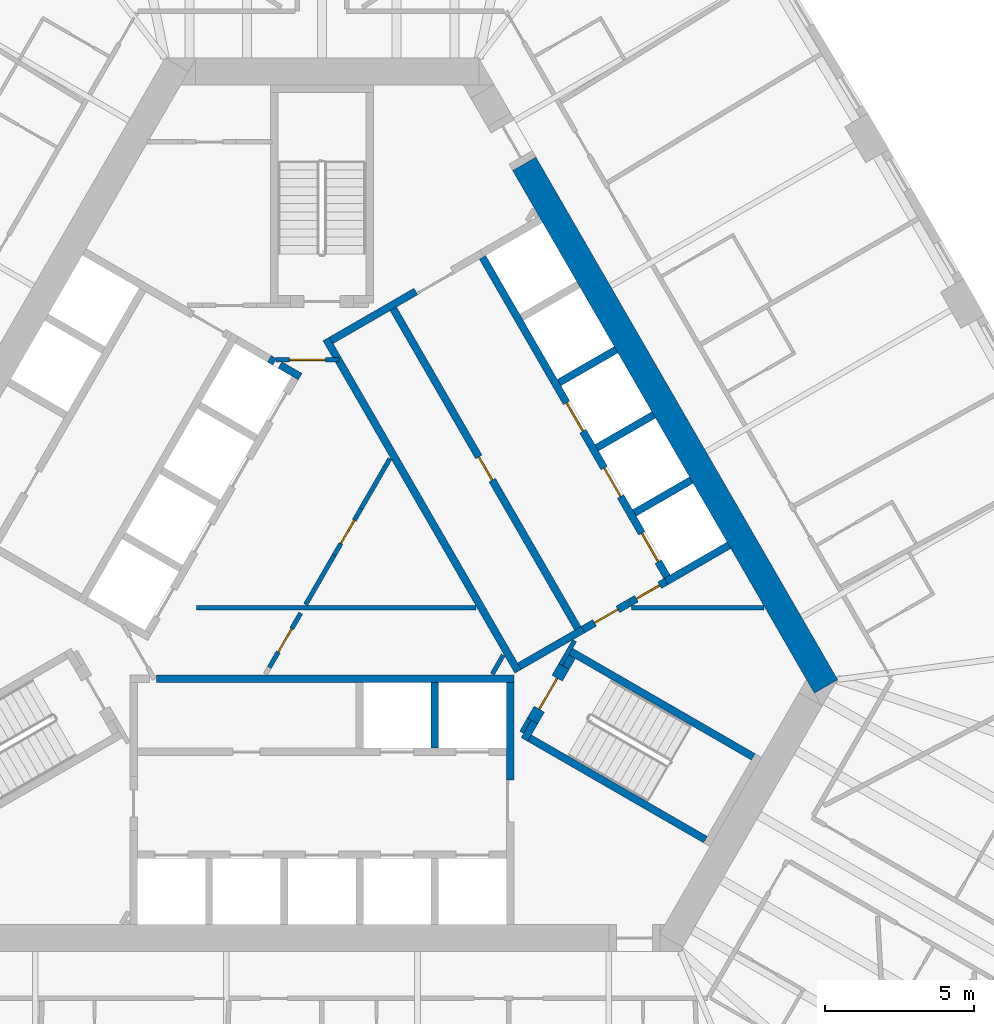
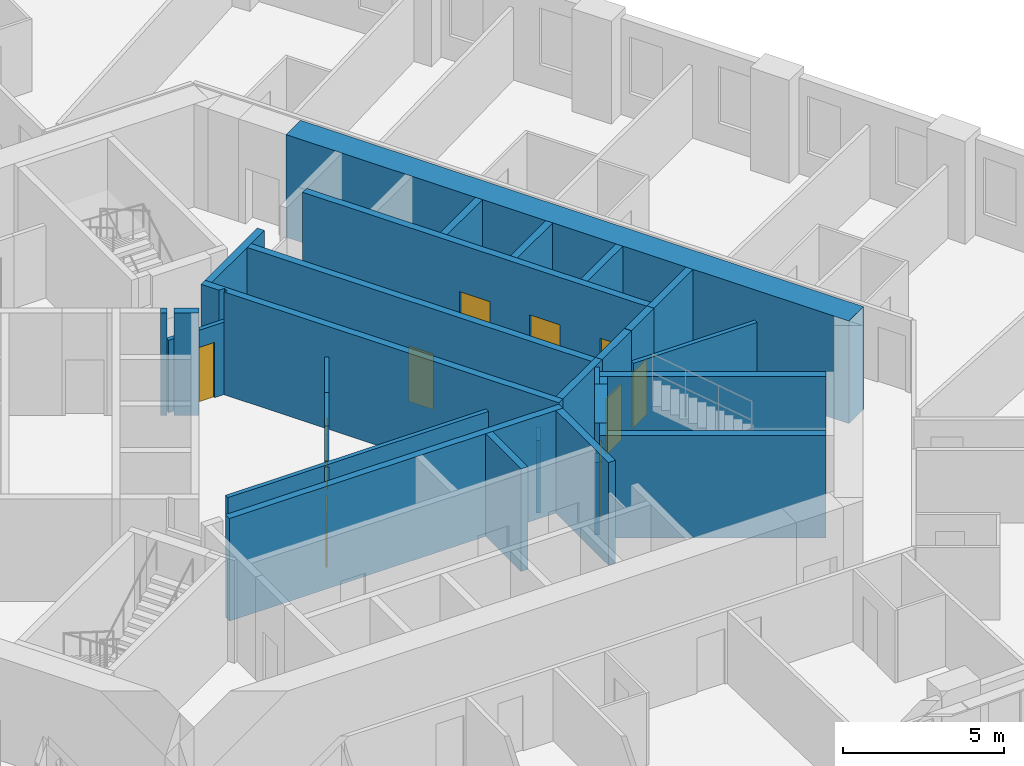
# One storey, part 8 of 13: 32 walls, 10 doors, 10 openings.
"""IFC4 building model written with IfcOpenShell, lengths in metres."""

from ifc_helpers import new_model, si_unit, direction, frame, frame_2d, origin, place, context, subcontext, project, spatial, polyline, rectangle, outline, extrude, material, layer, layer_set, type_object, element, fill, save


model = new_model("IFC4")

# Units and contexts
model_context = context("Model", 3, precision=1e-05, world=origin(), true_north=direction((0.0, 1.0)))
body_context = subcontext(model_context, "Body", "Model", "MODEL_VIEW")
ifc_project = project(units=[si_unit("LENGTHUNIT", "METRE"), si_unit("AREAUNIT", "SQUARE_METRE"), si_unit("VOLUMEUNIT", "CUBIC_METRE"), si_unit("PLANEANGLEUNIT", "RADIAN"), si_unit("MASSUNIT", "GRAM", prefix="KILO")], contexts=[model_context])

# Site, building, storey
site_placement = place(None, origin())
site = spatial("IfcSite", under=ifc_project, at=site_placement, CompositionType="ELEMENT")
building_placement = place(site_placement, origin())
building = spatial("IfcBuilding", under=site, at=building_placement, Name="Mestral Congress Tower", CompositionType="ELEMENT")
storey_placement = place(building_placement, frame((0.0, 0.0, 27.60009765625)))
storey = spatial("IfcBuildingStorey", under=building, at=storey_placement, Name="L05", CompositionType="ELEMENT", Elevation=27.60009765625)

# Walls
ifc_material_1 = material(Name="Fire-rated board partition")
ifc_layer_1 = layer(ifc_material_1, 0.14990234375)
ifc_layer_set_1 = layer_set([ifc_layer_1], Name="Fire-rated board partition")
wall_type_1 = type_object("IfcWallType", Name="Core partition 150", PredefinedType="PARTITIONING", material=ifc_layer_set_1)
wall_1_placement = place(storey_placement, frame((6.94482421875, -5.22216796875, 0.0), z_axis=(0.0, 0.0, 1.0), x_axis=(-0.499818422106, -0.866130212453, 0.0)))
element("IfcWall", 1, at=wall_1_placement, inside=storey, type_object=wall_type_1, Name="L05 core wall", PredefinedType="PARTITIONING", context=body_context, shape_type="SweptSolid", body=[
    extrude(rectangle(XDim=0.513916015625, YDim=0.14990234375, at=frame_2d((0.2568359375, 0.0))), origin(), (0.0, 0.0, 1.0), 2.75),
])
wall_2_placement = place(storey_placement, frame((5.704833984375, -3.718017578125, 0.0), z_axis=(0.0, 0.0, 1.0), x_axis=(0.499962090823, 0.866047289552, 0.0)))
element("IfcWall", 2, at=wall_2_placement, inside=storey, type_object=wall_type_1, Name="L05 core wall", PredefinedType="PARTITIONING", context=body_context, shape_type="SweptSolid", body=[
    extrude(rectangle(XDim=0.73486328125, YDim=0.14990234375, at=frame_2d((0.367431640625, 0.0))), origin(), (0.0, 0.0, 1.0), 2.75),
])
wall_3_placement = place(storey_placement, frame((10.362060546875, -1.5, 0.0), z_axis=(0.0, 0.0, 1.0), x_axis=(1.0, 0.0, 0.0)))
element("IfcWall", 3, at=wall_3_placement, inside=storey, type_object=wall_type_1, Name="L05 core wall", PredefinedType="PARTITIONING", context=body_context, shape_type="SweptSolid", body=[
    extrude(rectangle(XDim=4.439208984375, YDim=0.14990234375, at=frame_2d((2.2197265625, 0.0))), origin(), (0.0, 0.0, 1.0), 2.75),
])
wall_4_placement = place(storey_placement, frame((-4.199951171875, -1.5, 0.0), z_axis=(0.0, 0.0, 1.0), x_axis=(1.0, 0.0, 0.0)))
element("IfcWall", 4, at=wall_4_placement, inside=storey, type_object=wall_type_1, Name="L05 core wall", PredefinedType="PARTITIONING", context=body_context, shape_type="SweptSolid", body=[
    extrude(rectangle(XDim=9.359375, YDim=0.14990234375, at=frame_2d((4.6796875, 0.0))), origin(), (0.0, 0.0, 1.0), 2.75),
])
wall_5_placement = place(storey_placement, frame((-0.54443359375, -1.393310546875, 0.0), z_axis=(0.0, 0.0, 1.0), x_axis=(0.499928740635, 0.866066541489, 0.0)))
element("IfcWall", 5, at=wall_5_placement, inside=storey, type_object=wall_type_1, Name="L05 core wall", PredefinedType="PARTITIONING", context=body_context, shape_type="SweptSolid", body=[
    extrude(rectangle(XDim=1.912353515625, YDim=0.14990234375, at=frame_2d((0.9560546875, 0.0))), origin(), (0.0, 0.0, 1.0), 2.75),
])
wall_6_placement = place(storey_placement, frame((1.311767578125, 1.822021484375, 0.0), z_axis=(0.0, 0.0, 1.0), x_axis=(0.500003549559, 0.866023354436, 0.0)))
element("IfcWall", 6, at=wall_6_placement, inside=storey, type_object=wall_type_1, Name="L05 core wall", PredefinedType="PARTITIONING", context=body_context, shape_type="SweptSolid", body=[
    extrude(rectangle(XDim=1.9296875, YDim=0.14990234375, at=frame_2d((0.96484375, 0.0))), origin(), (0.0, 0.0, 1.0), 2.75),
])

# Wall, opening, door
wall_7_placement = place(storey_placement, frame((-1.759765625, -3.498046875, 0.0), z_axis=(0.0, 0.0, 1.0), x_axis=(0.499977374825, 0.866038466041, 0.0)))
wall_7 = element("IfcWall", 7, at=wall_7_placement, inside=storey, type_object=wall_type_1, Name="L05 door wall", PredefinedType="PARTITIONING", context=body_context, shape_type="SweptSolid", body=[
    extrude(rectangle(XDim=2.10009765625, YDim=0.14990234375, at=frame_2d((1.050048828125, 0.0))), origin(), (0.0, 0.0, 1.0), 2.75),
])
opening_1_placement = place(wall_7_placement, frame((0.60009765625, 0.0, 0.0)))
opening_1 = element("IfcOpeningElement", 8, at=opening_1_placement, cuts=wall_7, Name="Opening CD1-HUB0", PredefinedType="OPENING", context=body_context, shape_type="SweptSolid", body=[
    extrude(rectangle(XDim=0.89990234375, YDim=2.10009765625, at=frame_2d((0.449951171875, 1.050048828125))), frame((0.0, 0.0849609375, 0.0), z_axis=(0.0, -1.0, 0.0), x_axis=(1.0, 0.0, 0.0)), (0.0, 0.0, 1.0), 0.169921875),
])
ifc_material_2 = material(Name="Fire-rated steel door set", Category="steel")
door_type_1 = type_object("IfcDoorType", Name="Core door CD 900x2100", OperationType="SINGLE_SWING_LEFT", PredefinedType="DOOR", material=ifc_material_2)
door_1_placement = place(opening_1_placement, origin())
door_1 = element("IfcDoor", 9, at=door_1_placement, inside=storey, type_object=door_type_1, Name="Door CD1-HUB0", OperationType="SINGLE_SWING_LEFT", OverallHeight=2.10009765625, OverallWidth=0.89990234375, PredefinedType="DOOR", context=body_context, shape_type="SweptSolid", body=[
    extrude(rectangle(XDim=0.89990234375, YDim=2.10009765625, at=frame_2d((0.449951171875, 1.050048828125))), frame((0.0, 0.02490234375, 0.0), z_axis=(0.0, -1.0, 0.0), x_axis=(1.0, 0.0, 0.0)), (0.0, 0.0, 1.0), 0.050048828125),
])
fill(opening_1, door_1)

wall_8_placement = place(storey_placement, frame((-1.534423828125, 6.800048828125, 0.0), z_axis=(0.0, 0.0, 1.0), x_axis=(1.0, 0.0, 0.0)))
wall_8 = element("IfcWall", 10, at=wall_8_placement, inside=storey, type_object=wall_type_1, Name="L05 door wall", PredefinedType="PARTITIONING", context=body_context, shape_type="SweptSolid", body=[
    extrude(rectangle(XDim=2.099853515625, YDim=0.14990234375, at=frame_2d((1.0498046875, 0.0))), origin(), (0.0, 0.0, 1.0), 2.75),
])
opening_2_placement = place(wall_8_placement, frame((0.449951171875, 0.0, 0.0)))
opening_2 = element("IfcOpeningElement", 11, at=opening_2_placement, cuts=wall_8, Name="Opening CD2-FF", PredefinedType="OPENING", context=body_context, shape_type="SweptSolid", body=[
    extrude(rectangle(XDim=1.199951171875, YDim=2.10009765625, at=frame_2d((0.60009765625, 1.050048828125))), frame((0.0, 0.0849609375, 0.0), z_axis=(0.0, -1.0, 0.0), x_axis=(1.0, 0.0, 0.0)), (0.0, 0.0, 1.0), 0.169921875),
])
door_type_2 = type_object("IfcDoorType", Name="Core door CD 1200x2100", OperationType="SINGLE_SWING_LEFT", PredefinedType="DOOR", material=ifc_material_2)
door_2_placement = place(opening_2_placement, origin())
door_2 = element("IfcDoor", 12, at=door_2_placement, inside=storey, type_object=door_type_2, Name="Door CD2-FF", OperationType="SINGLE_SWING_LEFT", OverallHeight=2.10009765625, OverallWidth=1.199951171875, PredefinedType="DOOR", context=body_context, shape_type="SweptSolid", body=[
    extrude(rectangle(XDim=1.199951171875, YDim=2.10009765625, at=frame_2d((0.60009765625, 1.050048828125))), frame((0.0, 0.02490234375, 0.0), z_axis=(0.0, -1.0, 0.0), x_axis=(1.0, 0.0, 0.0)), (0.0, 0.0, 1.0), 0.050048828125),
])
fill(opening_2, door_2)

wall_9_placement = place(storey_placement, frame((0.41162109375, 0.26318359375, 0.0), z_axis=(0.0, 0.0, 1.0), x_axis=(0.500062916607, 0.865989075817, 0.0)))
wall_9 = element("IfcWall", 13, at=wall_9_placement, inside=storey, type_object=wall_type_1, Name="L05 door wall", PredefinedType="PARTITIONING", context=body_context, shape_type="SweptSolid", body=[
    extrude(rectangle(XDim=1.800048828125, YDim=0.14990234375, at=frame_2d((0.89990234375, 0.0))), origin(), (0.0, 0.0, 1.0), 2.75),
])
opening_3_placement = place(wall_9_placement, frame((0.449951171875, 0.0, 0.0)))
opening_3 = element("IfcOpeningElement", 14, at=opening_3_placement, cuts=wall_9, Name="Opening SD-HUB1", PredefinedType="OPENING", context=body_context, shape_type="SweptSolid", body=[
    extrude(rectangle(XDim=0.89990234375, YDim=2.10009765625, at=frame_2d((0.449951171875, 1.050048828125))), frame((0.0, 0.0849609375, 0.0), z_axis=(0.0, -1.0, 0.0), x_axis=(1.0, 0.0, 0.0)), (0.0, 0.0, 1.0), 0.169921875),
])
door_type_3 = type_object("IfcDoorType", Name="Core door SR 900x2100", OperationType="SINGLE_SWING_LEFT", PredefinedType="DOOR", material=ifc_material_2)
door_3_placement = place(opening_3_placement, origin())
door_3 = element("IfcDoor", 15, at=door_3_placement, inside=storey, type_object=door_type_3, Name="Door SD-HUB1", OperationType="SINGLE_SWING_LEFT", OverallHeight=2.10009765625, OverallWidth=0.89990234375, PredefinedType="DOOR", context=body_context, shape_type="SweptSolid", body=[
    extrude(rectangle(XDim=0.89990234375, YDim=2.10009765625, at=frame_2d((0.449951171875, 1.050048828125))), frame((0.0, 0.02490234375, 0.0), z_axis=(0.0, -1.0, 0.0), x_axis=(1.0, 0.0, 0.0)), (0.0, 0.0, 1.0), 0.050048828125),
])
fill(opening_3, door_3)

# Walls
ifc_material_3 = material(Name="Concrete C60/75", Category="concrete")
ifc_layer_2 = layer(ifc_material_3, 0.89990234375)
ifc_layer_set_2 = layer_set([ifc_layer_2], Name="Concrete C60/75")
wall_type_2 = type_object("IfcWallType", Name="Core wall RC 900", PredefinedType="SOLIDWALL", material=ifc_layer_set_2)
wall_10_placement = place(storey_placement, frame((6.77587890625, 13.36376953125, 0.0), z_axis=(0.0, 0.0, 1.0), x_axis=(0.500004177138, -0.8660229921, 0.0)))
element("IfcWall", 16, at=wall_10_placement, inside=storey, type_object=wall_type_2, Name="L05 core wall", PredefinedType="SOLIDWALL", context=body_context, shape_type="SweptSolid", body=[
    extrude(rectangle(XDim=20.203857421875, YDim=0.89990234375, at=frame_2d((10.10205078125, 0.0))), origin(), (0.0, 0.0, 1.0), 3.89990234375),
])
ifc_layer_3 = layer(ifc_material_3, 0.25)
ifc_layer_set_3 = layer_set([ifc_layer_3], Name="Concrete C60/75")
wall_type_3 = type_object("IfcWallType", Name="Shaft wall RC 250", PredefinedType="SOLIDWALL", material=ifc_layer_set_3)
wall_11_placement = place(storey_placement, frame((-5.544921875, -3.875, 0.0), z_axis=(0.0, 0.0, 1.0), x_axis=(1.0, 0.0, 0.0)))
element("IfcWall", 17, at=wall_11_placement, inside=storey, type_object=wall_type_3, Name="L05 core wall", PredefinedType="SOLIDWALL", context=body_context, shape_type="SweptSolid", body=[
    extrude(rectangle(XDim=11.969970703125, YDim=0.25, at=frame_2d((5.98486328125, 0.0))), origin(), (0.0, 0.0, 1.0), 3.89990234375),
])
wall_12_placement = place(storey_placement, frame((6.300048828125, -7.26806640625, 0.0), z_axis=(0.0, 0.0, 1.0), x_axis=(0.0, 1.0, 0.0)))
element("IfcWall", 18, at=wall_12_placement, inside=storey, type_object=wall_type_3, Name="L05 core wall", PredefinedType="SOLIDWALL", context=body_context, shape_type="SweptSolid", body=[
    extrude(rectangle(XDim=3.26806640625, YDim=0.25, at=frame_2d((1.634033203125, 0.0))), origin(), (0.0, 0.0, 1.0), 3.89990234375),
])
for number, where, z_axis, x_axis, name in (
    (19, (3.780029296875, -4.0, 0.0), (0.0, 0.0, 1.0), (0.0, -1.0, 0.0), "L05 core wall"),
    (20, (10.463623046875, 1.676513671875, 0.0), (0.0, 0.0, 1.0), (0.86605622881, 0.499946605688, 0.0), "L05 core wall"),
):
    element("IfcWall", number, at=place(storey_placement, frame(where, z_axis=z_axis, x_axis=x_axis)), inside=storey, type_object=wall_type_3, Name=name, PredefinedType="SOLIDWALL", context=body_context, shape_type="SweptSolid", body=[
        extrude(rectangle(XDim=2.199951171875, YDim=0.25, at=frame_2d((1.10009765625, 0.0))), origin(), (0.0, 0.0, 1.0), 3.89990234375),
    ])
wall_13_placement = place(storey_placement, frame((13.62890625, 0.593994140625, 0.0), z_axis=(0.0, 0.0, 1.0), x_axis=(-0.866063384774, -0.499934209226, 0.0)))
element("IfcWall", 21, at=wall_13_placement, inside=storey, type_object=wall_type_3, Name="L05 core wall", PredefinedType="SOLIDWALL", context=body_context, shape_type="SweptSolid", body=[
    extrude(rectangle(XDim=2.428466796875, YDim=0.25, at=frame_2d((1.21435546875, 0.0))), origin(), (0.0, 0.0, 1.0), 3.89990234375),
])
wall_14_placement = place(storey_placement, origin())
element("IfcWall", 22, at=wall_14_placement, inside=storey, type_object=wall_type_3, Name="L05 core wall", PredefinedType="SOLIDWALL", context=body_context, shape_type="SweptSolid", body=[
    extrude(outline(polyline([(0.565673828125, 6.72509765625), (0.565673828125, 6.875), (0.565673828125, 6.875), (0.5654296875, 6.875), (0.36083984375, 6.875), (0.03515625, 7.439208984375), (0.251708984375, 7.564208984375), (0.376708984375, 7.34765625), (6.551513671875, -3.34765625), (6.676513671875, -3.564208984375), (6.460205078125, -3.689208984375), (0.447509765625, 6.724853515625), (0.5654296875, 6.724853515625), (0.565673828125, 6.724853515625), (0.565673828125, 6.72509765625)])), origin(), (0.0, 0.0, 1.0), 3.89990234375),
])
wall_15_placement = place(storey_placement, frame((0.314208984375, 7.455810546875, 0.0), z_axis=(0.0, 0.0, 1.0), x_axis=(0.866013897511, 0.50001992892, 0.0)))
element("IfcWall", 23, at=wall_15_placement, inside=storey, type_object=wall_type_3, Name="L05 core wall", PredefinedType="SOLIDWALL", context=body_context, shape_type="SweptSolid", body=[
    extrude(rectangle(XDim=3.267822265625, YDim=0.25, at=frame_2d((1.6337890625, 0.0))), origin(), (0.0, 0.0, 1.0), 3.89990234375),
])
wall_16_placement = place(storey_placement, frame((6.614013671875, -3.4560546875, 0.0), z_axis=(0.0, 0.0, 1.0), x_axis=(0.866031582473, 0.499989298045, 0.0)))
element("IfcWall", 24, at=wall_16_placement, inside=storey, type_object=wall_type_3, Name="L05 core wall", PredefinedType="SOLIDWALL", context=body_context, shape_type="SweptSolid", body=[
    extrude(rectangle(XDim=2.455078125, YDim=0.25, at=frame_2d((1.2275390625, 0.0))), origin(), (0.0, 0.0, 1.0), 3.89990234375),
])
for number, where, z_axis, x_axis, name in (
    (25, (7.943603515625, 6.041259765625, 0.0), (0.0, 0.0, 1.0), (0.86605622881, 0.499946605688, 0.0), "L05 core wall"),
    (26, (9.20361328125, 3.85888671875, 0.0), (0.0, 0.0, 1.0), (0.86605622881, 0.499946605688, 0.0), "L05 core wall"),
):
    element("IfcWall", number, at=place(storey_placement, frame(where, z_axis=z_axis, x_axis=x_axis)), inside=storey, type_object=wall_type_3, Name=name, PredefinedType="SOLIDWALL", context=body_context, shape_type="SweptSolid", body=[
        extrude(rectangle(XDim=2.199951171875, YDim=0.25, at=frame_2d((1.10009765625, 0.0))), origin(), (0.0, 0.0, 1.0), 3.89990234375),
    ])
wall_17_placement = place(storey_placement, frame((-1.75830078125, 6.834716796875, 0.0), z_axis=(0.0, 0.0, 1.0), x_axis=(0.865982457891, -0.500074377092, 0.0)))
element("IfcWall", 27, at=wall_17_placement, inside=storey, type_object=wall_type_3, Name="L05 core wall", PredefinedType="SOLIDWALL", context=body_context, shape_type="SweptSolid", body=[
    extrude(rectangle(XDim=0.2001953125, YDim=0.25, at=frame_2d((0.10009765625, 0.0))), origin(), (0.0, 0.0, 1.0), 3.89990234375),
])
wall_18_placement = place(storey_placement, frame((-0.7275390625, 6.23974609375, 0.0), z_axis=(0.0, 0.0, 1.0), x_axis=(-0.865955664968, 0.500120771724, 0.0)))
element("IfcWall", 28, at=wall_18_placement, inside=storey, type_object=wall_type_3, Name="L05 core wall", PredefinedType="SOLIDWALL", context=body_context, shape_type="SweptSolid", body=[
    extrude(rectangle(XDim=0.778076171875, YDim=0.25, at=frame_2d((0.38916015625, 0.0))), origin(), (0.0, 0.0, 1.0), 3.89990234375),
])

# Wall, openings, doors
wall_19_placement = place(storey_placement, frame((11.552978515625, -0.460205078125, 0.0), z_axis=(0.0, 0.0, 1.0), x_axis=(-0.500006514828, 0.866021642414, 0.0)))
wall_19 = element("IfcWall", 29, at=wall_19_placement, inside=storey, type_object=wall_type_3, Name="L05 door wall", PredefinedType="SOLIDWALL", context=body_context, shape_type="SweptSolid", body=[
    extrude(rectangle(XDim=12.349853515625, YDim=0.25, at=frame_2d((6.1748046875, 0.0))), origin(), (0.0, 0.0, 1.0), 3.89990234375),
])
opening_4_placement = place(wall_19_placement, frame((0.5849609375, 0.0, 0.0)))
opening_4 = element("IfcOpeningElement", 30, at=opening_4_placement, cuts=wall_19, Name="Opening LD-NEA1", PredefinedType="OPENING", context=body_context, shape_type="SweptSolid", body=[
    extrude(rectangle(XDim=1.10009765625, YDim=2.10009765625, at=frame_2d((0.550048828125, 1.050048828125))), frame((0.0, 0.135009765625, 0.0), z_axis=(0.0, -1.0, 0.0), x_axis=(1.0, 0.0, 0.0)), (0.0, 0.0, 1.0), 0.27001953125),
])
opening_5_placement = place(wall_19_placement, frame((3.10498046875, 0.0, 0.0)))
opening_5 = element("IfcOpeningElement", 31, at=opening_5_placement, cuts=wall_19, Name="Opening LD-NEA2", PredefinedType="OPENING", context=body_context, shape_type="SweptSolid", body=[
    extrude(rectangle(XDim=1.10009765625, YDim=2.10009765625, at=frame_2d((0.550048828125, 1.050048828125))), frame((0.0, 0.135009765625, 0.0), z_axis=(0.0, -1.0, 0.0), x_axis=(1.0, 0.0, 0.0)), (0.0, 0.0, 1.0), 0.27001953125),
])
opening_6_placement = place(wall_19_placement, frame((5.625, 0.0, 0.0)))
opening_6 = element("IfcOpeningElement", 32, at=opening_6_placement, cuts=wall_19, Name="Opening LD-NEA3", PredefinedType="OPENING", context=body_context, shape_type="SweptSolid", body=[
    extrude(rectangle(XDim=1.10009765625, YDim=2.10009765625, at=frame_2d((0.550048828125, 1.050048828125))), frame((0.0, 0.135009765625, 0.0), z_axis=(0.0, -1.0, 0.0), x_axis=(1.0, 0.0, 0.0)), (0.0, 0.0, 1.0), 0.27001953125),
])
door_type_4 = type_object("IfcDoorType", Name="Core door LD 1100x2100", OperationType="DOUBLE_DOOR_SLIDING", PredefinedType="DOOR", material=ifc_material_2)
door_4_placement = place(opening_4_placement, origin())
door_4 = element("IfcDoor", 33, at=door_4_placement, inside=storey, type_object=door_type_4, Name="Door LD-NEA1", OperationType="DOUBLE_DOOR_SLIDING", OverallHeight=2.10009765625, OverallWidth=1.10009765625, PredefinedType="DOOR", context=body_context, shape_type="SweptSolid", body=[
    extrude(rectangle(XDim=1.10009765625, YDim=2.10009765625, at=frame_2d((0.550048828125, 1.050048828125))), frame((0.0, 0.02490234375, 0.0), z_axis=(0.0, -1.0, 0.0), x_axis=(1.0, 0.0, 0.0)), (0.0, 0.0, 1.0), 0.050048828125),
])
fill(opening_4, door_4)
door_5_placement = place(opening_5_placement, origin())
door_5 = element("IfcDoor", 34, at=door_5_placement, inside=storey, type_object=door_type_4, Name="Door LD-NEA2", OperationType="DOUBLE_DOOR_SLIDING", OverallHeight=2.10009765625, OverallWidth=1.10009765625, PredefinedType="DOOR", context=body_context, shape_type="SweptSolid", body=[
    extrude(rectangle(XDim=1.10009765625, YDim=2.10009765625, at=frame_2d((0.550048828125, 1.050048828125))), frame((0.0, 0.02490234375, 0.0), z_axis=(0.0, -1.0, 0.0), x_axis=(1.0, 0.0, 0.0)), (0.0, 0.0, 1.0), 0.050048828125),
])
fill(opening_5, door_5)
door_6_placement = place(opening_6_placement, origin())
door_6 = element("IfcDoor", 35, at=door_6_placement, inside=storey, type_object=door_type_4, Name="Door LD-NEA3", OperationType="DOUBLE_DOOR_SLIDING", OverallHeight=2.10009765625, OverallWidth=1.10009765625, PredefinedType="DOOR", context=body_context, shape_type="SweptSolid", body=[
    extrude(rectangle(XDim=1.10009765625, YDim=2.10009765625, at=frame_2d((0.550048828125, 1.050048828125))), frame((0.0, 0.02490234375, 0.0), z_axis=(0.0, -1.0, 0.0), x_axis=(1.0, 0.0, 0.0)), (0.0, 0.0, 1.0), 0.050048828125),
])
fill(opening_6, door_6)

# Wall, opening, door
wall_20_placement = place(storey_placement, frame((8.565185546875, -2.185302734375, 0.0), z_axis=(0.0, 0.0, 1.0), x_axis=(-0.499997954832, 0.866026584559, 0.0)))
wall_20 = element("IfcWall", 36, at=wall_20_placement, inside=storey, type_object=wall_type_3, Name="L05 door wall", PredefinedType="SOLIDWALL", context=body_context, shape_type="SweptSolid", body=[
    extrude(rectangle(XDim=12.35009765625, YDim=0.25, at=frame_2d((6.175048828125, 0.0))), origin(), (0.0, 0.0, 1.0), 3.89990234375),
])
opening_7_placement = place(wall_20_placement, frame((5.72509765625, 0.0, 0.0)))
opening_7 = element("IfcOpeningElement", 37, at=opening_7_placement, cuts=wall_20, Name="Opening SR-NEB1", PredefinedType="OPENING", context=body_context, shape_type="SweptSolid", body=[
    extrude(rectangle(XDim=0.89990234375, YDim=2.10009765625, at=frame_2d((0.449951171875, 1.050048828125))), frame((0.0, 0.135009765625, 0.0), z_axis=(0.0, -1.0, 0.0), x_axis=(1.0, 0.0, 0.0)), (0.0, 0.0, 1.0), 0.27001953125),
])
door_7_placement = place(opening_7_placement, origin())
door_7 = element("IfcDoor", 38, at=door_7_placement, inside=storey, type_object=door_type_3, Name="Door SR-NEB1", OperationType="SINGLE_SWING_LEFT", OverallHeight=2.10009765625, OverallWidth=0.89990234375, PredefinedType="DOOR", context=body_context, shape_type="SweptSolid", body=[
    extrude(rectangle(XDim=0.89990234375, YDim=2.10009765625, at=frame_2d((0.449951171875, 1.050048828125))), frame((0.0, 0.02490234375, 0.0), z_axis=(0.0, -1.0, 0.0), x_axis=(1.0, 0.0, 0.0)), (0.0, 0.0, 1.0), 0.050048828125),
])
fill(opening_7, door_7)

wall_21_placement = place(storey_placement, frame((8.740478515625, -2.228515625, 0.0), z_axis=(0.0, 0.0, 1.0), x_axis=(0.865989075817, 0.500062916607, 0.0)))
wall_21 = element("IfcWall", 39, at=wall_21_placement, inside=storey, type_object=wall_type_3, Name="L05 door wall", PredefinedType="SOLIDWALL", context=body_context, shape_type="SweptSolid", body=[
    extrude(rectangle(XDim=1.800048828125, YDim=0.25, at=frame_2d((0.89990234375, 0.0))), origin(), (0.0, 0.0, 1.0), 3.89990234375),
])
opening_8_placement = place(wall_21_placement, frame((0.449951171875, 0.0, 0.0)))
opening_8 = element("IfcOpeningElement", 40, at=opening_8_placement, cuts=wall_21, Name="Opening TD1", PredefinedType="OPENING", context=body_context, shape_type="SweptSolid", body=[
    extrude(rectangle(XDim=0.89990234375, YDim=2.10009765625, at=frame_2d((0.449951171875, 1.050048828125))), frame((0.0, 0.135009765625, 0.0), z_axis=(0.0, -1.0, 0.0), x_axis=(1.0, 0.0, 0.0)), (0.0, 0.0, 1.0), 0.27001953125),
])
door_8_placement = place(opening_8_placement, origin())
door_8 = element("IfcDoor", 41, at=door_8_placement, inside=storey, type_object=door_type_3, Name="Door TD1", OperationType="SINGLE_SWING_LEFT", OverallHeight=2.10009765625, OverallWidth=0.89990234375, PredefinedType="DOOR", context=body_context, shape_type="SweptSolid", body=[
    extrude(rectangle(XDim=0.89990234375, YDim=2.10009765625, at=frame_2d((0.449951171875, 1.050048828125))), frame((0.0, 0.02490234375, 0.0), z_axis=(0.0, -1.0, 0.0), x_axis=(1.0, 0.0, 0.0)), (0.0, 0.0, 1.0), 0.050048828125),
])
fill(opening_8, door_8)

wall_22_placement = place(storey_placement, frame((10.31298828125, -1.3203125, 0.0), z_axis=(0.0, 0.0, 1.0), x_axis=(0.866034573852, 0.49998411664, 0.0)))
wall_22 = element("IfcWall", 42, at=wall_22_placement, inside=storey, type_object=wall_type_3, Name="L05 door wall", PredefinedType="SOLIDWALL", context=body_context, shape_type="SweptSolid", body=[
    extrude(rectangle(XDim=1.39990234375, YDim=0.25, at=frame_2d((0.699951171875, 0.0))), origin(), (0.0, 0.0, 1.0), 3.89990234375),
])
opening_9_placement = place(wall_22_placement, frame((0.25, 0.0, 0.0)))
opening_9 = element("IfcOpeningElement", 43, at=opening_9_placement, cuts=wall_22, Name="Opening SD-HUB2", PredefinedType="OPENING", context=body_context, shape_type="SweptSolid", body=[
    extrude(rectangle(XDim=0.89990234375, YDim=2.10009765625, at=frame_2d((0.449951171875, 1.050048828125))), frame((0.0, 0.135009765625, 0.0), z_axis=(0.0, -1.0, 0.0), x_axis=(1.0, 0.0, 0.0)), (0.0, 0.0, 1.0), 0.27001953125),
])
door_9_placement = place(opening_9_placement, origin())
door_9 = element("IfcDoor", 44, at=door_9_placement, inside=storey, type_object=door_type_3, Name="Door SD-HUB2", OperationType="SINGLE_SWING_LEFT", OverallHeight=2.10009765625, OverallWidth=0.89990234375, PredefinedType="DOOR", context=body_context, shape_type="SweptSolid", body=[
    extrude(rectangle(XDim=0.89990234375, YDim=2.10009765625, at=frame_2d((0.449951171875, 1.050048828125))), frame((0.0, 0.02490234375, 0.0), z_axis=(0.0, -1.0, 0.0), x_axis=(1.0, 0.0, 0.0)), (0.0, 0.0, 1.0), 0.050048828125),
])
fill(opening_9, door_9)

# Walls
ifc_layer_4 = layer(ifc_material_3, 0.14990234375)
ifc_layer_set_4 = layer_set([ifc_layer_4], Name="Concrete C60/75")
wall_type_4 = type_object("IfcWallType", Name="Shaft wall RC 250 door-wall 150", PredefinedType="SOLIDWALL", material=ifc_layer_set_4)
wall_23_placement = place(storey_placement, frame((8.459228515625, -2.59912109375, 0.0), z_axis=(0.0, 0.0, 1.0), x_axis=(-0.500041054325, -0.866001699761, 0.0)))
element("IfcWall", 45, at=wall_23_placement, inside=storey, type_object=wall_type_4, Name="L05 core wall", PredefinedType="PARTITIONING", context=body_context, shape_type="SweptSolid", body=[
    extrude(rectangle(XDim=0.9287109375, YDim=0.14990234375, at=frame_2d((0.46435546875, 0.0))), origin(), (0.0, 0.0, 1.0), 3.89990234375),
])
ifc_layer_5 = layer(ifc_material_3, 0.25)
ifc_layer_set_5 = layer_set([ifc_layer_5], Name="Concrete C60/75")
wall_type_5 = type_object("IfcWallType", Name="Stair wall RC 250", PredefinedType="SOLIDWALL", material=ifc_layer_set_5)
wall_24_placement = place(storey_placement, frame((12.83984375, -9.2607421875, 0.0), z_axis=(0.0, 0.0, 1.0), x_axis=(-0.866013990052, 0.500019768644, 0.0)))
element("IfcWall", 46, at=wall_24_placement, inside=storey, type_object=wall_type_5, Name="L05 core wall", PredefinedType="SOLIDWALL", context=body_context, shape_type="SweptSolid", body=[
    extrude(rectangle(XDim=6.800048828125, YDim=0.25, at=frame_2d((3.39990234375, 0.0))), origin(), (0.0, 0.0, 1.0), 3.89990234375),
])
wall_25_placement = place(storey_placement, frame((6.780029296875, -5.906494140625, 0.0), z_axis=(0.0, 0.0, 1.0), x_axis=(0.500223362819, 0.865896406789, 0.0)))
element("IfcWall", 47, at=wall_25_placement, inside=storey, type_object=wall_type_5, Name="L05 core wall", PredefinedType="SOLIDWALL", context=body_context, shape_type="SweptSolid", body=[
    extrude(rectangle(XDim=0.675048828125, YDim=0.25, at=frame_2d((0.33740234375, 0.0))), origin(), (0.0, 0.0, 1.0), 3.89990234375),
])
wall_26_placement = place(storey_placement, frame((8.33447265625, -2.96435546875, 0.0), z_axis=(0.0, 0.0, 1.0), x_axis=(0.866016039709, -0.500016218704, 0.0)))
element("IfcWall", 48, at=wall_26_placement, inside=storey, type_object=wall_type_5, Name="L05 core wall", PredefinedType="SOLIDWALL", context=body_context, shape_type="SweptSolid", body=[
    extrude(rectangle(XDim=7.050048828125, YDim=0.25, at=frame_2d((3.52490234375, 0.0))), origin(), (0.0, 0.0, 1.0), 3.89990234375),
])
wall_27_placement = place(storey_placement, frame((8.167724609375, -3.503173828125, 0.0), z_axis=(0.0, 0.0, 1.0), x_axis=(0.49972245349, 0.866185586049, 0.0)))
element("IfcWall", 49, at=wall_27_placement, inside=storey, type_object=wall_type_5, Name="L05 core wall", PredefinedType="SOLIDWALL", context=body_context, shape_type="SweptSolid", body=[
    extrude(rectangle(XDim=0.425048828125, YDim=0.25, at=frame_2d((0.21240234375, 0.0))), origin(), (0.0, 0.0, 1.0), 3.89990234375),
])

# Wall, opening, door
ifc_layer_6 = layer(ifc_material_3, 0.39990234375)
ifc_layer_set_6 = layer_set([ifc_layer_6], Name="Concrete C60/75")
wall_type_6 = type_object("IfcWallType", Name="Stair wall RC 250 door-wall 400", PredefinedType="SOLIDWALL", material=ifc_layer_set_6)
wall_28_placement = place(storey_placement, frame((7.052734375, -5.2841796875, 0.0), z_axis=(0.0, 0.0, 1.0), x_axis=(0.500078061341, 0.865980330357, 0.0)))
wall_28 = element("IfcWall", 50, at=wall_28_placement, inside=storey, type_object=wall_type_6, Name="L05 door wall", PredefinedType="SOLIDWALL", context=body_context, shape_type="SweptSolid", body=[
    extrude(rectangle(XDim=2.099853515625, YDim=0.39990234375, at=frame_2d((1.0498046875, 0.0))), origin(), (0.0, 0.0, 1.0), 3.89990234375),
])
opening_10_placement = place(wall_28_placement, frame((0.449951171875, 0.0, 0.0)))
opening_10 = element("IfcOpeningElement", 51, at=opening_10_placement, cuts=wall_28, Name="Opening ST-D1", PredefinedType="OPENING", context=body_context, shape_type="SweptSolid", body=[
    extrude(rectangle(XDim=1.199951171875, YDim=2.10009765625, at=frame_2d((0.60009765625, 1.050048828125))), frame((0.0, 0.2099609375, 0.0), z_axis=(0.0, -1.0, 0.0), x_axis=(1.0, 0.0, 0.0)), (0.0, 0.0, 1.0), 0.419921875),
])
door_type_5 = type_object("IfcDoorType", Name="Core door ST 1200x2100", OperationType="SINGLE_SWING_LEFT", PredefinedType="DOOR", material=ifc_material_2)
door_10_placement = place(opening_10_placement, origin())
door_10 = element("IfcDoor", 52, at=door_10_placement, inside=storey, type_object=door_type_5, Name="Door ST-D1", OperationType="SINGLE_SWING_LEFT", OverallHeight=2.10009765625, OverallWidth=1.199951171875, PredefinedType="DOOR", context=body_context, shape_type="SweptSolid", body=[
    extrude(rectangle(XDim=1.199951171875, YDim=2.10009765625, at=frame_2d((0.60009765625, 1.050048828125))), frame((0.0, 0.02490234375, 0.0), z_axis=(0.0, -1.0, 0.0), x_axis=(1.0, 0.0, 0.0)), (0.0, 0.0, 1.0), 0.050048828125),
])
fill(opening_10, door_10)

save(model, "model.ifc")
